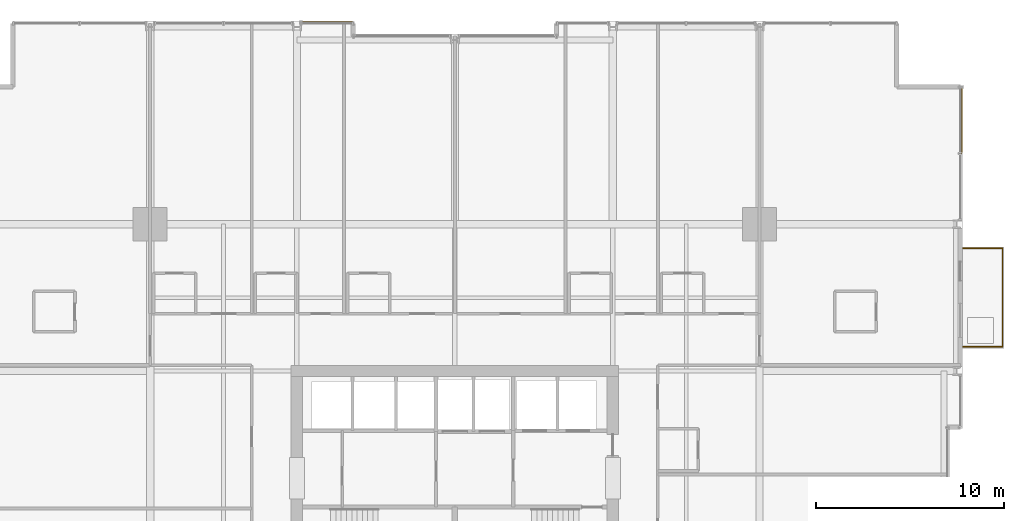
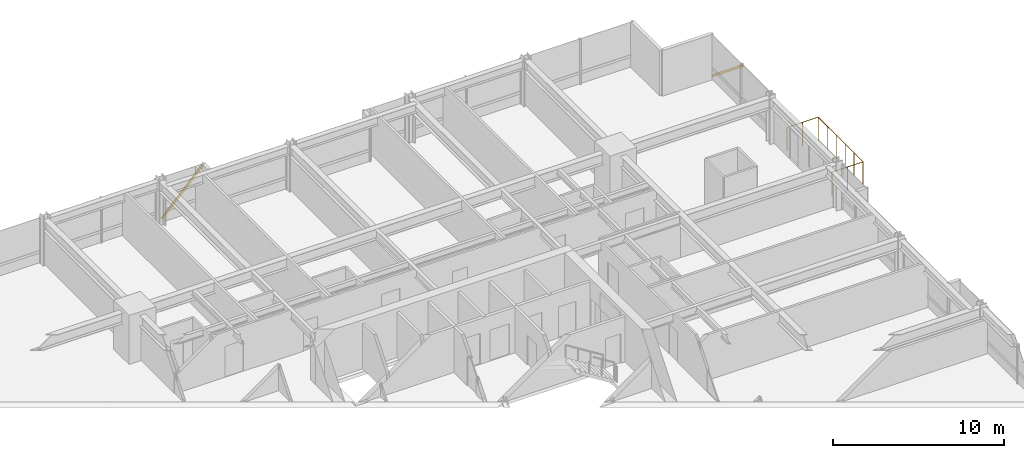
# One storey, part 38 of 38: 2 shading devices, 1 railing.
"""IFC4 building model written with IfcOpenShell, lengths in metres."""

from ifc_helpers import new_model, si_unit, direction, frame, origin, origin_2d, place, context, subcontext, project, spatial, hollow_rectangle, circle, extrude, material, material_profile, profile_set, type_object, element, save


model = new_model("IFC4")

# Units and contexts
model_context = context("Model", 3, precision=1e-05, world=origin(), true_north=direction((0.0, 1.0)))
body_context = subcontext(model_context, "Body", "Model", "MODEL_VIEW")
ifc_project = project(units=[si_unit("LENGTHUNIT", "METRE"), si_unit("AREAUNIT", "SQUARE_METRE"), si_unit("VOLUMEUNIT", "CUBIC_METRE"), si_unit("PLANEANGLEUNIT", "RADIAN"), si_unit("MASSUNIT", "GRAM", prefix="KILO")], contexts=[model_context])

# Site, building, storey
site_placement = place(None, origin())
site = spatial("IfcSite", under=ifc_project, at=site_placement, CompositionType="ELEMENT")
building_placement = place(site_placement, origin())
building = spatial("IfcBuilding", under=site, at=building_placement, Name="Drelvath Grand Hotel", CompositionType="ELEMENT")
storey_placement = place(building_placement, frame((0.0, 0.0, 68.199951171875)))
storey = spatial("IfcBuildingStorey", under=building, at=storey_placement, Name="L16", CompositionType="ELEMENT", Elevation=68.199951171875)

# Shading devices
ifc_material_1 = material(Name="Warm Bronze Anodised Aluminium", Category="aluminium")
ifc_material_profile = material_profile(ifc_material_1, hollow_rectangle(XDim=0.06494140625, YDim=0.159912109375, WallThickness=0.00390625, at=origin_2d()), Name="HSS160X65X4")
ifc_profile_set = profile_set([ifc_material_profile], Name="Warm Bronze Anodised Aluminium")
shading_device_type = type_object("IfcShadingDeviceType", Name="Diagonal Solar Fin Warm Bronze Anodised HSS160X65X4", PredefinedType="USERDEFINED", material=ifc_profile_set)
shading_device_1_placement = place(storey_placement, frame((26.9599609375, 50.5, 0.179931640625), z_axis=(0.0, -0.775296156534, 0.631597870218), x_axis=(1.0, 0.0, 0.0)))
element("IfcShadingDevice", 1, at=shading_device_1_placement, inside=storey, type_object=shading_device_type, Name="L16 Diagonal Anodised Fin CW02-L16-EN3", ObjectType="FIN", PredefinedType="USERDEFINED", context=body_context, shape_type="SweptSolid", body=[
    extrude(hollow_rectangle(XDim=0.06494140625, YDim=0.159912109375, WallThickness=0.00390625, at=origin_2d()), origin(), (0.0, 0.0, 1.0), 4.56005859375),
])
shading_device_2_placement = place(storey_placement, frame((-8.1708984375, 53.9599609375, 0.179931640625), z_axis=(0.693322321311, 0.0, 0.720627614494), x_axis=(0.0, 1.0, 0.0)))
element("IfcShadingDevice", 2, at=shading_device_2_placement, inside=storey, type_object=shading_device_type, Name="L16 Diagonal Anodised Fin CW02-L16-NW3", ObjectType="FIN", PredefinedType="USERDEFINED", context=body_context, shape_type="SweptSolid", body=[
    extrude(hollow_rectangle(XDim=0.06494140625, YDim=0.159912109375, WallThickness=0.00390625, at=origin_2d()), origin(), (0.0, 0.0, 1.0), 3.99658203125),
])

# Railing
ifc_material_2 = material(Name="Anodised Aluminium and Laminated Glass Balustrade", Category="aluminium")
railing_type = type_object("IfcRailingType", Name="Raised Planter Edge Balustrade 1700", PredefinedType="BALUSTRADE", material=ifc_material_2)
railing_placement = place(storey_placement, frame((27.02001953125, 36.679931640625, 0.0)))
element("IfcRailing", 3, at=railing_placement, inside=storey, type_object=railing_type, Name="L16 Tree Balcony Perimeter Balustrade 1", PredefinedType="BALUSTRADE", context=body_context, shape_type="SweptSolid", body=[
    extrude(circle(Radius=0.02392578125, at=origin_2d()), frame((0.0, 0.0, 1.67578125), z_axis=(1.0, 0.0, 0.0), x_axis=(0.0, 1.0, 0.0)), (0.0, 0.0, 1.0), 2.10009765625),
    extrude(circle(Radius=0.02392578125, at=origin_2d()), frame((2.10009765625, 0.0, 1.67578125), z_axis=(0.0, 1.0, 0.0), x_axis=(-1.0, 0.0, 0.0)), (0.0, 0.0, 1.0), 5.239990234375),
    extrude(circle(Radius=0.02392578125, at=origin_2d()), frame((2.10009765625, 5.239990234375, 1.67578125), z_axis=(-1.0, 0.0, 0.0), x_axis=(0.0, -1.0, 0.0)), (0.0, 0.0, 1.0), 2.10009765625),
    extrude(circle(Radius=0.02099609375, at=origin_2d()), origin(), (0.0, 0.0, 1.0), 1.65185546875),
    extrude(circle(Radius=0.02099609375, at=origin_2d()), frame((1.050048828125, 0.0, 0.0)), (0.0, 0.0, 1.0), 1.65185546875),
    extrude(circle(Radius=0.02099609375, at=origin_2d()), frame((2.10009765625, 0.0, 0.0)), (0.0, 0.0, 1.0), 1.65185546875),
    extrude(circle(Radius=0.02099609375, at=origin_2d()), frame((2.10009765625, 1.048095703125, 0.0)), (0.0, 0.0, 1.0), 1.65185546875),
    extrude(circle(Radius=0.02099609375, at=origin_2d()), frame((2.10009765625, 2.095947265625, 0.0)), (0.0, 0.0, 1.0), 1.65185546875),
    extrude(circle(Radius=0.02099609375, at=origin_2d()), frame((2.10009765625, 3.14404296875, 0.0)), (0.0, 0.0, 1.0), 1.65185546875),
    extrude(circle(Radius=0.02099609375, at=origin_2d()), frame((2.10009765625, 4.19189453125, 0.0)), (0.0, 0.0, 1.0), 1.65185546875),
    extrude(circle(Radius=0.02099609375, at=origin_2d()), frame((2.10009765625, 5.239990234375, 0.0)), (0.0, 0.0, 1.0), 1.65185546875),
    extrude(circle(Radius=0.02099609375, at=origin_2d()), frame((1.050048828125, 5.239990234375, 0.0)), (0.0, 0.0, 1.0), 1.65185546875),
    extrude(circle(Radius=0.02099609375, at=origin_2d()), frame((0.0, 5.239990234375, 0.0)), (0.0, 0.0, 1.0), 1.65185546875),
])

save(model, "model.ifc")
